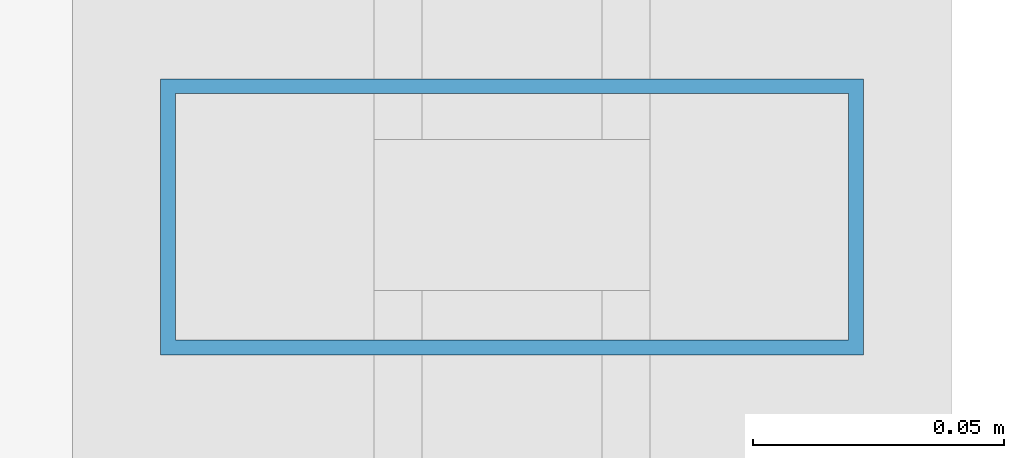
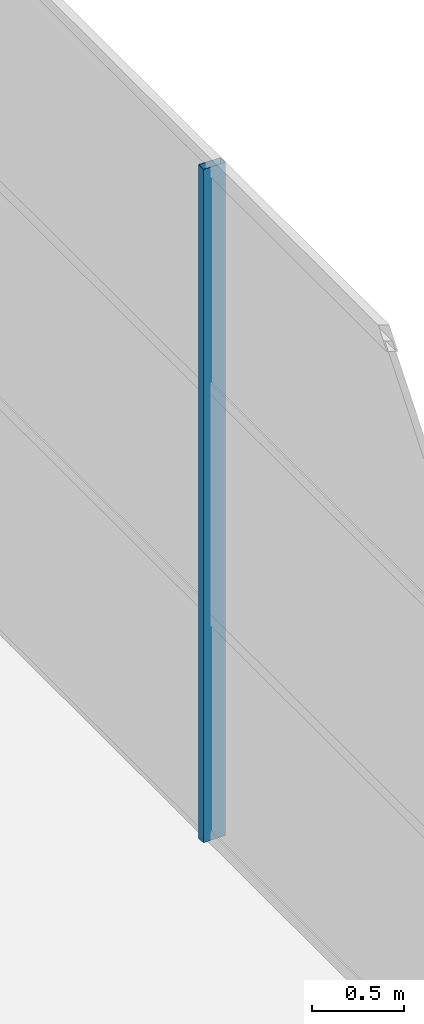
# One storey, part 42 of 112: 1 member, 1 element without a shape of its own.
"""IFC4 building model written with IfcOpenShell, lengths in metres."""

from ifc_helpers import new_model, si_unit, direction, frame, origin, origin_2d, place, context, subcontext, project, spatial, hollow_rectangle, extrude, material, material_profile, profile_set, type_object, element, aggregate, save


model = new_model("IFC4")

# Units and contexts
model_context = context("Model", 3, precision=1e-05, world=origin(), true_north=direction((0.0, 1.0)))
body_context = subcontext(model_context, "Body", "Model", "MODEL_VIEW")
ifc_project = project(units=[si_unit("LENGTHUNIT", "METRE"), si_unit("AREAUNIT", "SQUARE_METRE"), si_unit("VOLUMEUNIT", "CUBIC_METRE"), si_unit("PLANEANGLEUNIT", "RADIAN"), si_unit("MASSUNIT", "GRAM", prefix="KILO")], contexts=[model_context])

# Site, building, storey
site_placement = place(None, origin())
site = spatial("IfcSite", under=ifc_project, at=site_placement, CompositionType="ELEMENT")
building_placement = place(site_placement, origin())
building = spatial("IfcBuilding", under=site, at=building_placement, Name="Solvikara Media Centre", CompositionType="ELEMENT")
storey_placement = place(building_placement, frame((0.0, 0.0, 5.39990234375)))
storey = spatial("IfcBuildingStorey", under=building, at=storey_placement, Name="L01", CompositionType="ELEMENT", Elevation=5.39990234375)

# Curtain wall, member
ifc_material = material(Name="Anodised aluminium EN AW-6063", Category="aluminium")
curtain_wall_type = type_object("IfcCurtainWallType", Name="CW-08", PredefinedType="NOTDEFINED", material=ifc_material)
curtain_wall_placement = place(storey_placement, origin())
curtain_wall = element("IfcCurtainWall", 1, at=curtain_wall_placement, inside=storey, type_object=curtain_wall_type, Name="CW-L01-V3E-S2", PredefinedType="NOTDEFINED")
ifc_material_profile = material_profile(ifc_material, hollow_rectangle(XDim=0.054931640625, YDim=0.139892578125, WallThickness=0.0029296875, at=origin_2d()), Name="ALU-M 55x140x3")
ifc_profile_set = profile_set([ifc_material_profile], Name="Anodised aluminium EN AW-6063")
member_type = type_object("IfcMemberType", Name="MF-05", PredefinedType="MULLION", material=ifc_profile_set)
member_placement = place(storey_placement, frame((34.0, 93.256103515625, 0.02001953125), z_axis=(0.0, 0.0, 1.0), x_axis=(0.0, 1.0, 0.0)))
member = element("IfcMember", 2, at=member_placement, type_object=member_type, Name="CW-L01-V3E-S2-M01", PredefinedType="MULLION", context=body_context, shape_type="SweptSolid", body=[
    extrude(hollow_rectangle(XDim=0.054931640625, YDim=0.139892578125, WallThickness=0.0029296875, at=origin_2d()), origin(), (0.0, 0.0, 1.0), 4.4599609375),
])
aggregate(curtain_wall, [member])

save(model, "model.ifc")
